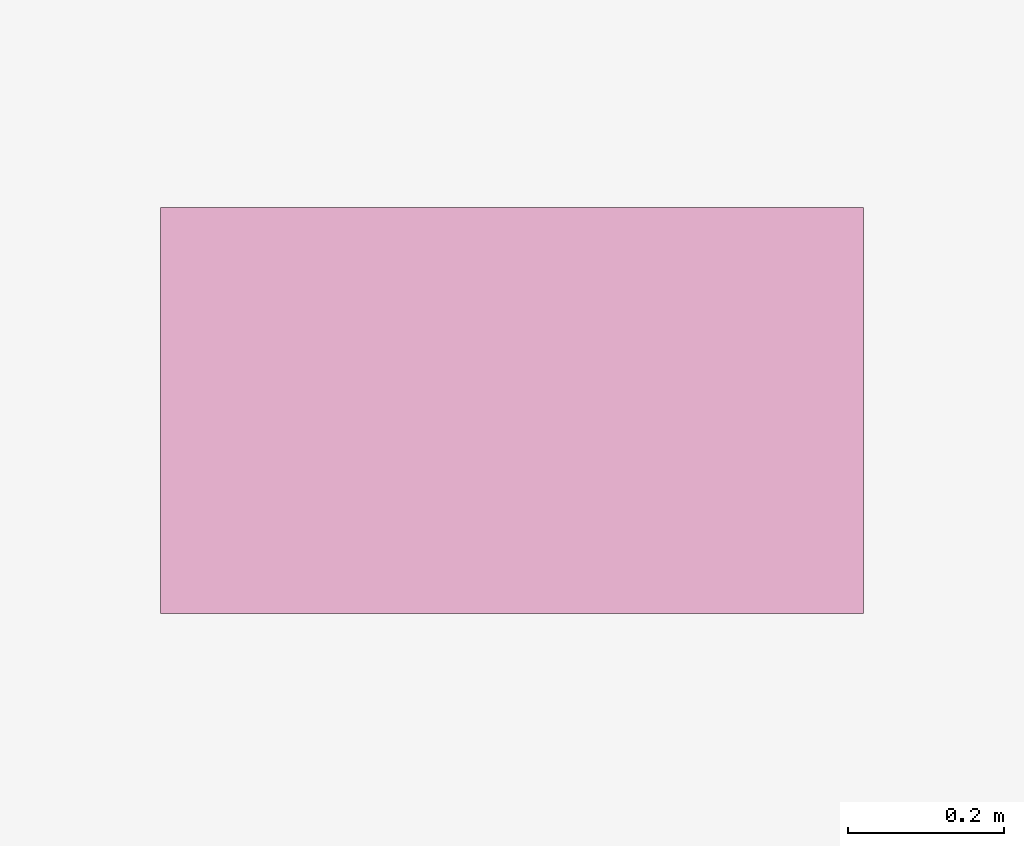
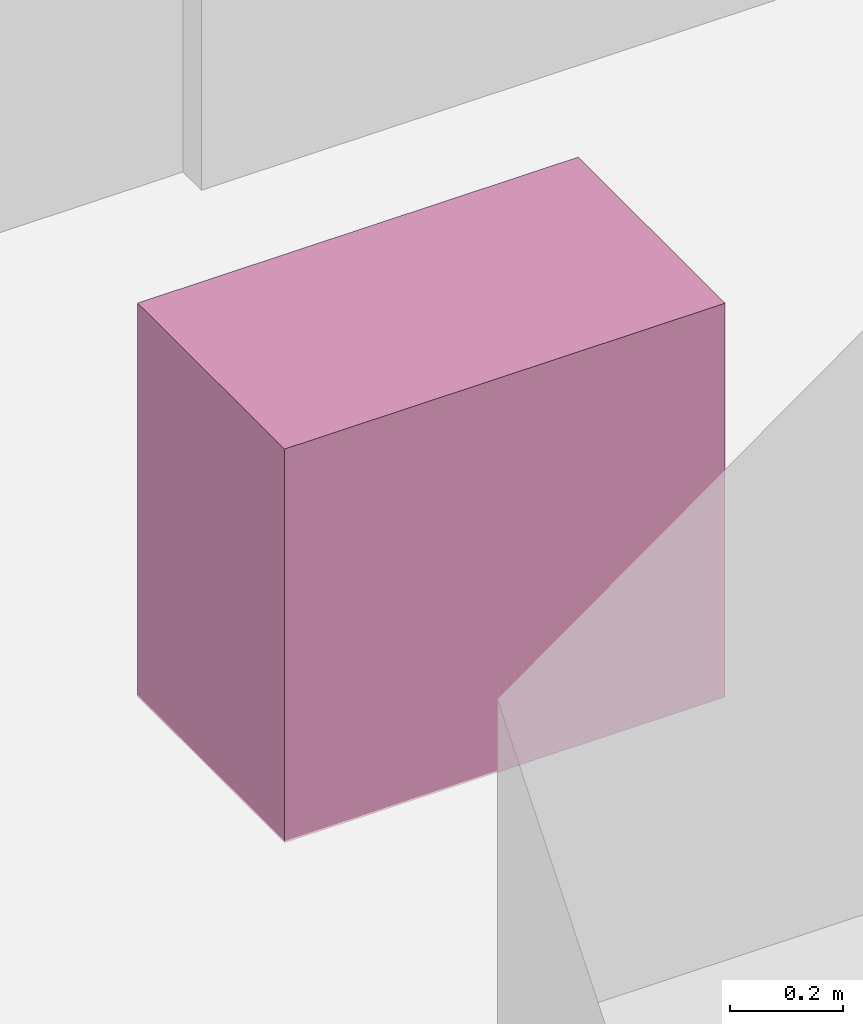
# One storey, part 29 of 29: 1 furnishing.
"""IFC4 building model written with IfcOpenShell, lengths in metres."""

from ifc_helpers import new_model, si_unit, direction, frame, origin, origin_2d, place, context, subcontext, project, spatial, rectangle, extrude, material, type_object, element, save


model = new_model("IFC4")

# Units and contexts
model_context = context("Model", 3, precision=1e-05, world=origin(), true_north=direction((0.0, 1.0)))
body_context = subcontext(model_context, "Body", "Model", "MODEL_VIEW")
ifc_project = project(units=[si_unit("LENGTHUNIT", "METRE"), si_unit("AREAUNIT", "SQUARE_METRE"), si_unit("VOLUMEUNIT", "CUBIC_METRE"), si_unit("PLANEANGLEUNIT", "RADIAN"), si_unit("MASSUNIT", "GRAM", prefix="KILO")], contexts=[model_context])

# Site, building, storey
site_placement = place(None, origin())
site = spatial("IfcSite", under=ifc_project, at=site_placement, CompositionType="ELEMENT")
building_placement = place(site_placement, origin())
building = spatial("IfcBuilding", under=site, at=building_placement, Name="Vorneva Point Tower", CompositionType="ELEMENT")
storey_placement = place(building_placement, frame((0.0, 0.0, 120.800048828125)))
storey = spatial("IfcBuildingStorey", under=building, at=storey_placement, Name="L32", CompositionType="ELEMENT", Elevation=120.800048828125)

# Furnishing
ifc_material = material(Name="Vitreous china and granite top", Category="masonry")
furniture_type = type_object("IfcFurnitureType", Name="FUR-VAN-900", AssemblyPlace="NOTDEFINED", PredefinedType="NOTDEFINED", material=ifc_material)
furnishing_placement = place(storey_placement, frame((35.425048828125, 32.1201171875, -0.005126953125), z_axis=(0.0, 0.0, 1.0), x_axis=(1.0, 0.0, 0.0)))
element("IfcFurnishingElement", 1, at=furnishing_placement, inside=storey, type_object=furniture_type, Name="L32 Accessible WC Vanity Unit", ObjectType="L32 Accessible WC Vanity Unit", context=body_context, shape_type="SweptSolid", body=[
    extrude(rectangle(XDim=0.89990234375, YDim=0.52001953125, at=origin_2d()), origin(), (0.0, 0.0, 1.0), 0.85009765625),
])

save(model, "model.ifc")
